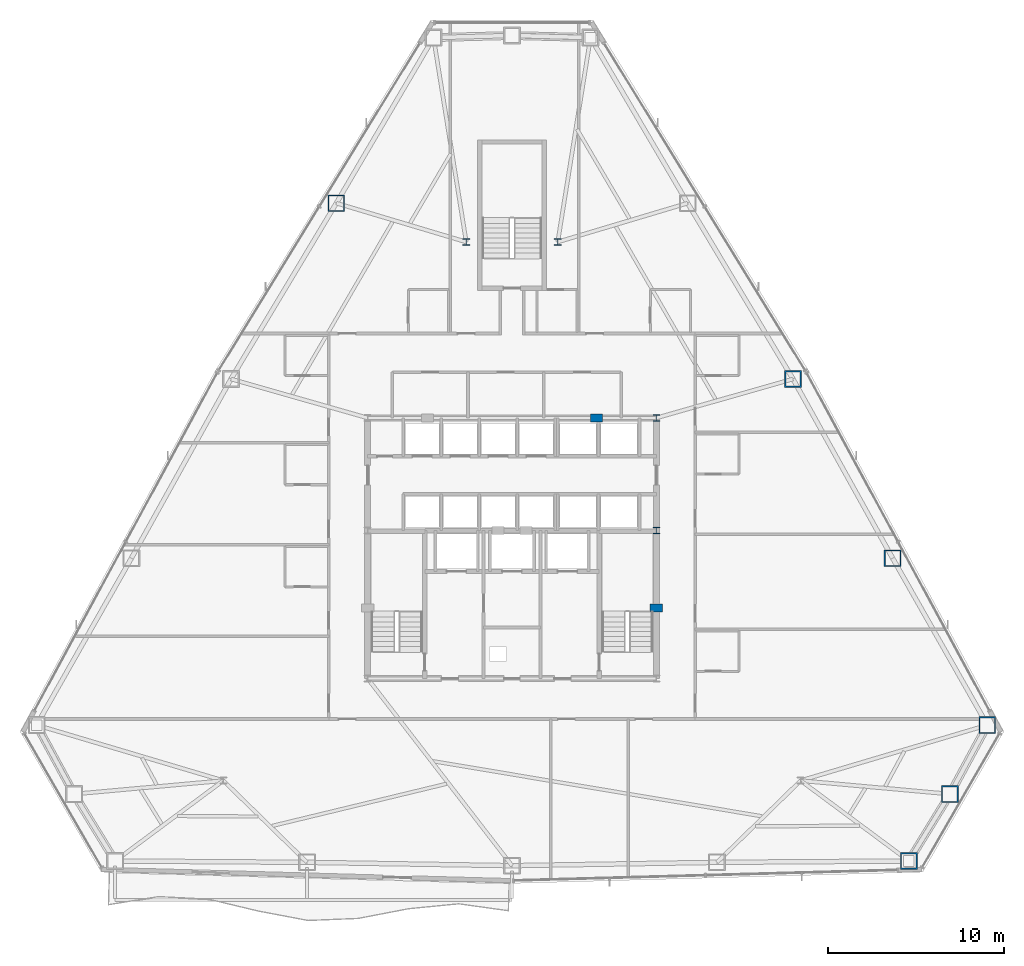
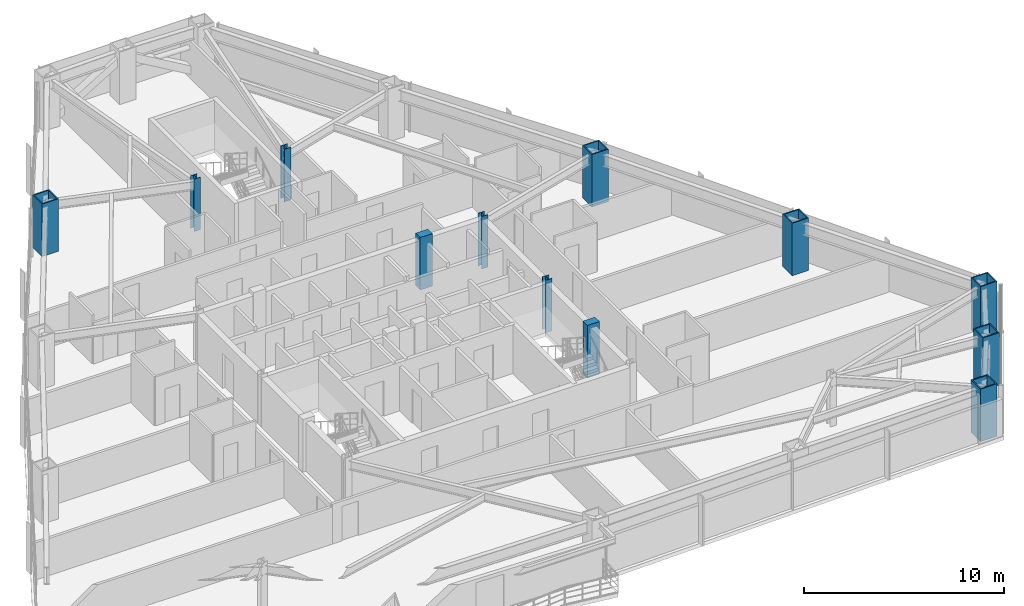
# One storey, part 2 of 14: 12 columns.
"""IFC4 building model written with IfcOpenShell, lengths in metres."""

from ifc_helpers import new_model, si_unit, direction, frame, origin, origin_2d, place, context, subcontext, project, spatial, rectangle, hollow_rectangle, i_section, extrude, material, material_profile, profile_set, type_object, element, save


model = new_model("IFC4")

# Units and contexts
model_context = context("Model", 3, precision=1e-05, world=origin(), true_north=direction((0.0, 1.0)))
body_context = subcontext(model_context, "Body", "Model", "MODEL_VIEW")
ifc_project = project(units=[si_unit("LENGTHUNIT", "METRE"), si_unit("AREAUNIT", "SQUARE_METRE"), si_unit("VOLUMEUNIT", "CUBIC_METRE"), si_unit("PLANEANGLEUNIT", "RADIAN"), si_unit("MASSUNIT", "GRAM", prefix="KILO")], contexts=[model_context])

# Site, building, storey
site_placement = place(None, origin())
site = spatial("IfcSite", under=ifc_project, at=site_placement, CompositionType="ELEMENT")
building_placement = place(site_placement, origin())
building = spatial("IfcBuilding", under=site, at=building_placement, Name="Varakhsha Concourse Tower", CompositionType="ELEMENT")
storey_placement = place(building_placement, frame((0.0, 0.0, 105.39990234375)))
storey = spatial("IfcBuildingStorey", under=building, at=storey_placement, Name="L30", CompositionType="ELEMENT", Elevation=105.39990234375)

# Columns
ifc_material_1 = material(Name="Structural Steel ASTM A992 Grade 50", Category="steel")
ifc_material_profile_1 = material_profile(ifc_material_1, i_section(OverallWidth=0.3740234375, OverallDepth=0.3720703125, WebThickness=0.01611328125, FlangeThickness=0.02587890625, at=origin_2d()), Name="W14X132")
ifc_profile_set_1 = profile_set([ifc_material_profile_1], Name="Structural Steel ASTM A992 Grade 50")
column_type_1 = type_object("IfcColumnType", Name="CL-CORE-W14X132", PredefinedType="COLUMN", material=ifc_profile_set_1)
for number, where, z_axis, x_axis, name in (
    (1, (48.199951171875, 24.800048828125, 0.0), (0.0, 0.0, 1.0), (1.0, 0.0, 0.0), "L30 Core Column CC-ME"),
    (2, (48.199951171875, 31.199951171875, 0.0), (0.0, 0.0, 1.0), (1.0, 0.0, 0.0), "L30 Core Column CC-NE"),
    (3, (37.39990234375, 41.199951171875, 0.0), (0.0, 0.0, 1.0), (1.0, 0.0, 0.0), "L30 Core Column NS-W"),
    (4, (42.60009765625, 41.199951171875, 0.0), (0.0, 0.0, 1.0), (1.0, 0.0, 0.0), "L30 Core Column NS-E"),
):
    element("IfcColumn", number, at=place(storey_placement, frame(where, z_axis=z_axis, x_axis=x_axis)), inside=storey, type_object=column_type_1, Name=name, PredefinedType="COLUMN", context=body_context, shape_type="SweptSolid", body=[
        extrude(i_section(OverallWidth=0.3740234375, OverallDepth=0.3720703125, WebThickness=0.01611328125, FlangeThickness=0.02587890625, at=origin_2d()), origin(), (0.0, 0.0, 1.0), 3.2001953125),
    ])
ifc_material_2 = material(Name="Concrete fc 65 MPa", Category="concrete")
ifc_material_profile_2 = material_profile(ifc_material_2, rectangle(XDim=0.699951171875, YDim=0.449951171875, at=origin_2d()), Name="RC 700x450")
ifc_profile_set_2 = profile_set([ifc_material_profile_2], Name="Concrete fc 65 MPa")
column_type_2 = type_object("IfcColumnType", Name="CL-PIL-700X450", PredefinedType="PILASTER", material=ifc_profile_set_2)
for number, where, z_axis, x_axis, name in (
    (5, (48.199951171875, 20.39990234375, 0.0), (0.0, 0.0, 1.0), (1.0, 0.0, 0.0), "L30 Core Boundary Pilaster PIL-E1"),
    (6, (44.800048828125, 31.199951171875, 0.0), (0.0, 0.0, 1.0), (1.0, 0.0, 0.0), "L30 Core Boundary Pilaster PIL-N2"),
):
    element("IfcColumn", number, at=place(storey_placement, frame(where, z_axis=z_axis, x_axis=x_axis)), inside=storey, type_object=column_type_2, Name=name, PredefinedType="PILASTER", context=body_context, shape_type="SweptSolid", body=[
        extrude(rectangle(XDim=0.699951171875, YDim=0.449951171875, at=origin_2d()), origin(), (0.0, 0.0, 1.0), 3.2001953125),
    ])
ifc_material_3 = material(Name="Structural Steel ASTM A572 Grade 50", Category="steel")
ifc_material_profile_3 = material_profile(ifc_material_3, hollow_rectangle(XDim=0.949951171875, YDim=0.949951171875, WallThickness=0.06494140625, at=origin_2d()), Name="BOX 950x950x65")
ifc_profile_set_3 = profile_set([ifc_material_profile_3], Name="Structural Steel ASTM A572 Grade 50")
column_type_3 = type_object("IfcColumnType", Name="CL-TUBE-950", PredefinedType="COLUMN", material=ifc_profile_set_3)
for number, where, z_axis, x_axis, name in (
    (7, (30.0234375, 43.40380859375, 0.0), (0.0, 0.0, 1.0), (1.0, 0.0, 0.0), "L30 Framed-Tube Column TC04"),
    (8, (62.5458984375, 6.034912109375, 0.0), (0.0, 0.0, 1.0), (1.0, 0.0, 0.0), "L30 Framed-Tube Column TC13"),
    (9, (64.87890625, 9.836181640625, 0.0), (0.0, 0.0, 1.0), (1.0, 0.0, 0.0), "L30 Framed-Tube Column TC14"),
    (10, (67.00439453125, 13.757080078125, 0.0), (0.0, 0.0, 1.0), (1.0, 0.0, 0.0), "L30 Framed-Tube Column TC15"),
    (11, (61.619384765625, 23.238037109375, 0.0), (0.0, 0.0, 1.0), (1.0, 0.0, 0.0), "L30 Framed-Tube Column TC16"),
    (12, (55.961669921875, 33.41552734375, 0.0), (0.0, 0.0, 1.0), (1.0, 0.0, 0.0), "L30 Framed-Tube Column TC17"),
):
    element("IfcColumn", number, at=place(storey_placement, frame(where, z_axis=z_axis, x_axis=x_axis)), inside=storey, type_object=column_type_3, Name=name, PredefinedType="COLUMN", context=body_context, shape_type="SweptSolid", body=[
        extrude(hollow_rectangle(XDim=0.949951171875, YDim=0.949951171875, WallThickness=0.06494140625, at=origin_2d()), origin(), (0.0, 0.0, 1.0), 3.2001953125),
    ])

save(model, "model.ifc")
